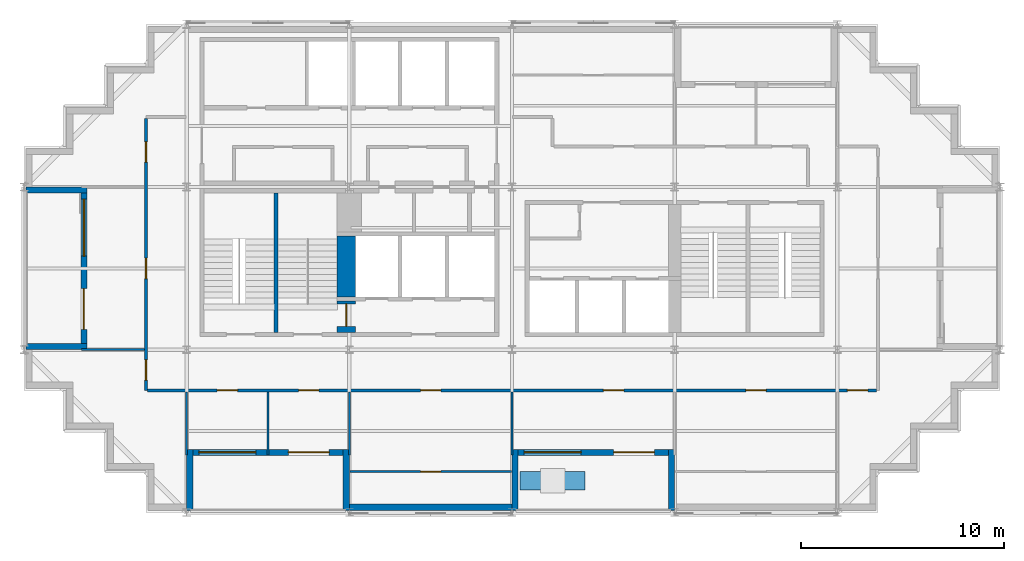
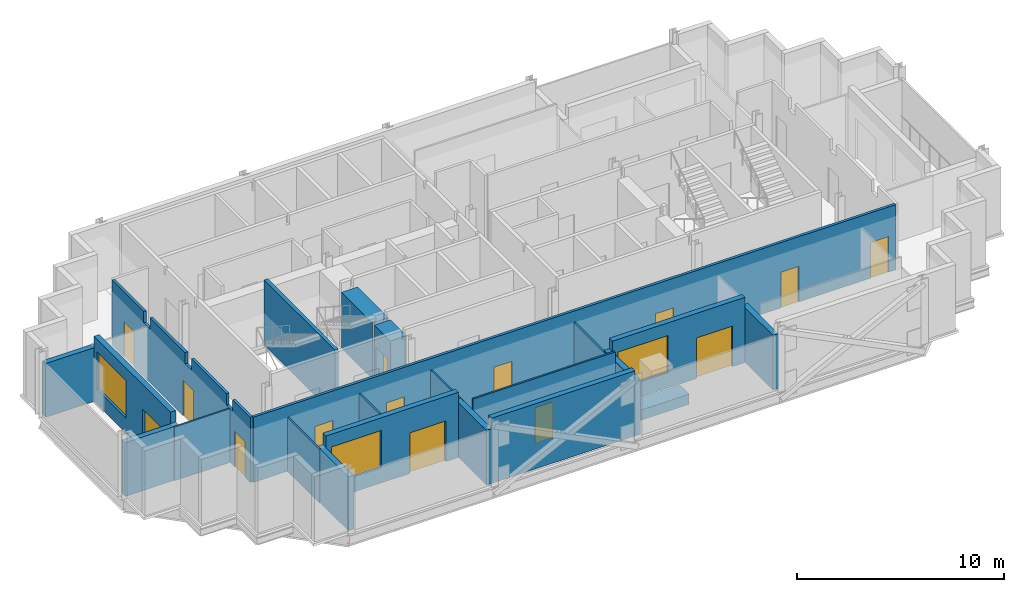
# One storey, part 4 of 10: 22 walls, 14 doors, 3 windows, 17 openings.
"""IFC4 building model written with IfcOpenShell, lengths in metres."""

from ifc_helpers import new_model, si_unit, direction, frame, frame_2d, origin, place, context, subcontext, project, spatial, polyline, rectangle, outline, extrude, material, layer, layer_set, type_object, element, fill, save


model = new_model("IFC4")

# Units and contexts
model_context = context("Model", 3, precision=1e-05, world=origin(), true_north=direction((0.0, 1.0)))
body_context = subcontext(model_context, "Body", "Model", "MODEL_VIEW")
ifc_project = project(units=[si_unit("LENGTHUNIT", "METRE"), si_unit("AREAUNIT", "SQUARE_METRE"), si_unit("VOLUMEUNIT", "CUBIC_METRE"), si_unit("PLANEANGLEUNIT", "RADIAN"), si_unit("MASSUNIT", "GRAM", prefix="KILO")], contexts=[model_context])

# Site, building, storey
site_placement = place(None, origin())
site = spatial("IfcSite", under=ifc_project, at=site_placement, CompositionType="ELEMENT")
building_placement = place(site_placement, origin())
building = spatial("IfcBuilding", under=site, at=building_placement, Name="Immortelle Media Tower", CompositionType="ELEMENT")
storey_placement = place(building_placement, frame((0.0, 0.0, 263.0)))
storey = spatial("IfcBuildingStorey", under=building, at=storey_placement, Name="L57", CompositionType="ELEMENT", Elevation=263.0)

# Wall, openings, doors
ifc_material_1 = material(Name="Fire-rated gypsum board", Category="gypsum")
ifc_layer_1 = layer(ifc_material_1, 0.012451171875)
ifc_material_2 = material(Name="Steel ASTM A653 SS Gr 50 stud frame with mineral wool", Category="steel")
ifc_layer_2 = layer(ifc_material_2, 0.125)
ifc_layer_3 = layer(ifc_material_1, 0.012451171875)
ifc_layer_set_1 = layer_set([ifc_layer_1, ifc_layer_2, ifc_layer_3], Name="Steel ASTM A653 SS Gr 50 stud frame with mineral wool")
wall_type_1 = type_object("IfcWallType", Name="Corridor wall 150", PredefinedType="PARTITIONING", material=ifc_layer_set_1)
wall_1_placement = place(storey_placement, frame((6.074951171875, 6.0, 0.0), z_axis=(0.0, 0.0, 1.0), x_axis=(1.0, 0.0, 0.0)))
wall_1 = element("IfcWall", 1, at=wall_1_placement, inside=storey, type_object=wall_type_1, Name="Partition L57-010", PredefinedType="PARTITIONING", context=body_context, shape_type="SweptSolid", body=[
    extrude(rectangle(XDim=35.85009765625, YDim=0.14990234375, at=frame_2d((17.925048828125, 0.0))), origin(), (0.0, 0.0, 1.0), 3.85009765625),
])
opening_1_placement = place(wall_1_placement, frame((14.425048828125, 0.0, 0.0), z_axis=(0.0, 0.0, 1.0), x_axis=(-1.0, 0.0, 0.0)))
opening_1 = element("IfcOpeningElement", 2, at=opening_1_placement, cuts=wall_1, Name="Opening X2-F001", PredefinedType="OPENING", context=body_context, shape_type="SweptSolid", body=[
    extrude(rectangle(XDim=1.0, YDim=2.10009765625, at=frame_2d((0.5, 1.050048828125))), frame((0.0, 0.0849609375, 0.0), z_axis=(0.0, -1.0, 0.0), x_axis=(1.0, 0.0, 0.0)), (0.0, 0.0, 1.0), 0.169921875),
])
opening_2_placement = place(wall_1_placement, frame((30.425048828125, 0.0, 0.0), z_axis=(0.0, 0.0, 1.0), x_axis=(-1.0, 0.0, 0.0)))
opening_2 = element("IfcOpeningElement", 3, at=opening_2_placement, cuts=wall_1, Name="Opening X2-F003", PredefinedType="OPENING", context=body_context, shape_type="SweptSolid", body=[
    extrude(rectangle(XDim=1.0, YDim=2.10009765625, at=frame_2d((0.5, 1.050048828125))), frame((0.0, 0.0849609375, 0.0), z_axis=(0.0, -1.0, 0.0), x_axis=(1.0, 0.0, 0.0)), (0.0, 0.0, 1.0), 0.169921875),
])
opening_3_placement = place(wall_1_placement, frame((4.425048828125, 0.0, 0.0), z_axis=(0.0, 0.0, 1.0), x_axis=(-1.0, 0.0, 0.0)))
opening_3 = element("IfcOpeningElement", 4, at=opening_3_placement, cuts=wall_1, Name="Opening X2-F005", PredefinedType="OPENING", context=body_context, shape_type="SweptSolid", body=[
    extrude(rectangle(XDim=1.0, YDim=2.10009765625, at=frame_2d((0.5, 1.050048828125))), frame((0.0, 0.0849609375, 0.0), z_axis=(0.0, -1.0, 0.0), x_axis=(1.0, 0.0, 0.0)), (0.0, 0.0, 1.0), 0.169921875),
])
opening_4_placement = place(wall_1_placement, frame((8.425048828125, 0.0, 0.0), z_axis=(0.0, 0.0, 1.0), x_axis=(-1.0, 0.0, 0.0)))
opening_4 = element("IfcOpeningElement", 5, at=opening_4_placement, cuts=wall_1, Name="Opening X2-F006", PredefinedType="OPENING", context=body_context, shape_type="SweptSolid", body=[
    extrude(rectangle(XDim=1.0, YDim=2.10009765625, at=frame_2d((0.5, 1.050048828125))), frame((0.0, 0.0849609375, 0.0), z_axis=(0.0, -1.0, 0.0), x_axis=(1.0, 0.0, 0.0)), (0.0, 0.0, 1.0), 0.169921875),
])
opening_5_placement = place(wall_1_placement, frame((23.425048828125, 0.0, 0.0), z_axis=(0.0, 0.0, 1.0), x_axis=(-1.0, 0.0, 0.0)))
opening_5 = element("IfcOpeningElement", 6, at=opening_5_placement, cuts=wall_1, Name="Opening X2-F007", PredefinedType="OPENING", context=body_context, shape_type="SweptSolid", body=[
    extrude(rectangle(XDim=1.0, YDim=2.10009765625, at=frame_2d((0.5, 1.050048828125))), frame((0.0, 0.0849609375, 0.0), z_axis=(0.0, -1.0, 0.0), x_axis=(1.0, 0.0, 0.0)), (0.0, 0.0, 1.0), 0.169921875),
])
opening_6_placement = place(wall_1_placement, frame((35.425048828125, 0.0, 0.0), z_axis=(0.0, 0.0, 1.0), x_axis=(-1.0, 0.0, 0.0)))
opening_6 = element("IfcOpeningElement", 7, at=opening_6_placement, cuts=wall_1, Name="Opening X2-F009", PredefinedType="OPENING", context=body_context, shape_type="SweptSolid", body=[
    extrude(rectangle(XDim=1.0, YDim=2.10009765625, at=frame_2d((0.5, 1.050048828125))), frame((0.0, 0.0849609375, 0.0), z_axis=(0.0, -1.0, 0.0), x_axis=(1.0, 0.0, 0.0)), (0.0, 0.0, 1.0), 0.169921875),
])
ifc_material_3 = material(Name="Timber veneered door leaf, galvanised steel frame ASTM A653", Category="steel")
door_type_1 = type_object("IfcDoorType", Name="Room door 1000 x 2100", OperationType="NOTDEFINED", PredefinedType="DOOR", material=ifc_material_3)
door_1_placement = place(opening_1_placement, origin())
door_1 = element("IfcDoor", 8, at=door_1_placement, inside=storey, type_object=door_type_1, Name="Door X2-F001", OperationType="SINGLE_SWING_RIGHT", OverallHeight=2.10009765625, OverallWidth=1.0, PredefinedType="DOOR", context=body_context, shape_type="SweptSolid", body=[
    extrude(rectangle(XDim=1.0, YDim=2.10009765625, at=frame_2d((0.5, 1.050048828125))), frame((0.0, 0.02490234375, 0.0), z_axis=(0.0, -1.0, 0.0), x_axis=(1.0, 0.0, 0.0)), (0.0, 0.0, 1.0), 0.050048828125),
])
fill(opening_1, door_1)
door_2_placement = place(opening_2_placement, origin())
door_2 = element("IfcDoor", 9, at=door_2_placement, inside=storey, type_object=door_type_1, Name="Door X2-F003", OperationType="SINGLE_SWING_RIGHT", OverallHeight=2.10009765625, OverallWidth=1.0, PredefinedType="DOOR", context=body_context, shape_type="SweptSolid", body=[
    extrude(rectangle(XDim=1.0, YDim=2.10009765625, at=frame_2d((0.5, 1.050048828125))), frame((0.0, 0.02490234375, 0.0), z_axis=(0.0, -1.0, 0.0), x_axis=(1.0, 0.0, 0.0)), (0.0, 0.0, 1.0), 0.050048828125),
])
fill(opening_2, door_2)
door_3_placement = place(opening_3_placement, origin())
door_3 = element("IfcDoor", 10, at=door_3_placement, inside=storey, type_object=door_type_1, Name="Door X2-F005", OperationType="SINGLE_SWING_RIGHT", OverallHeight=2.10009765625, OverallWidth=1.0, PredefinedType="DOOR", context=body_context, shape_type="SweptSolid", body=[
    extrude(rectangle(XDim=1.0, YDim=2.10009765625, at=frame_2d((0.5, 1.050048828125))), frame((0.0, 0.02490234375, 0.0), z_axis=(0.0, -1.0, 0.0), x_axis=(1.0, 0.0, 0.0)), (0.0, 0.0, 1.0), 0.050048828125),
])
fill(opening_3, door_3)
door_4_placement = place(opening_4_placement, origin())
door_4 = element("IfcDoor", 11, at=door_4_placement, inside=storey, type_object=door_type_1, Name="Door X2-F006", OperationType="SINGLE_SWING_LEFT", OverallHeight=2.10009765625, OverallWidth=1.0, PredefinedType="DOOR", context=body_context, shape_type="SweptSolid", body=[
    extrude(rectangle(XDim=1.0, YDim=2.10009765625, at=frame_2d((0.5, 1.050048828125))), frame((0.0, 0.02490234375, 0.0), z_axis=(0.0, -1.0, 0.0), x_axis=(1.0, 0.0, 0.0)), (0.0, 0.0, 1.0), 0.050048828125),
])
fill(opening_4, door_4)
door_5_placement = place(opening_5_placement, origin())
door_5 = element("IfcDoor", 12, at=door_5_placement, inside=storey, type_object=door_type_1, Name="Door X2-F007", OperationType="SINGLE_SWING_LEFT", OverallHeight=2.10009765625, OverallWidth=1.0, PredefinedType="DOOR", context=body_context, shape_type="SweptSolid", body=[
    extrude(rectangle(XDim=1.0, YDim=2.10009765625, at=frame_2d((0.5, 1.050048828125))), frame((0.0, 0.02490234375, 0.0), z_axis=(0.0, -1.0, 0.0), x_axis=(1.0, 0.0, 0.0)), (0.0, 0.0, 1.0), 0.050048828125),
])
fill(opening_5, door_5)
door_6_placement = place(opening_6_placement, origin())
door_6 = element("IfcDoor", 13, at=door_6_placement, inside=storey, type_object=door_type_1, Name="Door X2-F009", OperationType="SINGLE_SWING_RIGHT", OverallHeight=2.10009765625, OverallWidth=1.0, PredefinedType="DOOR", context=body_context, shape_type="SweptSolid", body=[
    extrude(rectangle(XDim=1.0, YDim=2.10009765625, at=frame_2d((0.5, 1.050048828125))), frame((0.0, 0.02490234375, 0.0), z_axis=(0.0, -1.0, 0.0), x_axis=(1.0, 0.0, 0.0)), (0.0, 0.0, 1.0), 0.050048828125),
])
fill(opening_6, door_6)

wall_2_placement = place(storey_placement, frame((6.0, 6.0, 0.0), z_axis=(0.0, 0.0, 1.0), x_axis=(0.0, 1.0, 0.0)))
wall_2 = element("IfcWall", 14, at=wall_2_placement, inside=storey, type_object=wall_type_1, Name="Partition L57-011", PredefinedType="PARTITIONING", context=body_context, shape_type="SweptSolid", body=[
    extrude(outline(polyline([(0.0, 0.0), (13.375, 0.0), (13.375, 3.85009765625), (10.300048828125, 3.85009765625), (10.298095703125, 3.172119140625), (9.701904296875, 3.172119140625), (9.699951171875, 3.85009765625), (6.300048828125, 3.85009765625), (6.298095703125, 3.172119140625), (5.701904296875, 3.172119140625), (5.699951171875, 3.85009765625), (2.300048828125, 3.85009765625), (2.298095703125, 3.172119140625), (1.701904296875, 3.172119140625), (1.699951171875, 3.85009765625), (0.0, 3.85009765625), (0.0, 0.0)])), frame((0.0, 0.074951171875, 0.0), z_axis=(0.0, -1.0, 0.0), x_axis=(1.0, 0.0, 0.0)), (0.0, 0.0, 1.0), 0.14990234375),
])
opening_7_placement = place(wall_2_placement, frame((0.5, 0.0, 0.0)))
opening_7 = element("IfcOpeningElement", 15, at=opening_7_placement, cuts=wall_2, Name="Opening X2-F008", PredefinedType="OPENING", context=body_context, shape_type="SweptSolid", body=[
    extrude(rectangle(XDim=1.0, YDim=2.10009765625, at=frame_2d((0.5, 1.050048828125))), frame((0.0, 0.0849609375, 0.0), z_axis=(0.0, -1.0, 0.0), x_axis=(1.0, 0.0, 0.0)), (0.0, 0.0, 1.0), 0.169921875),
])
opening_8_placement = place(wall_2_placement, frame((5.5, 0.0, 0.0)))
opening_8 = element("IfcOpeningElement", 16, at=opening_8_placement, cuts=wall_2, Name="Opening X2-F010", PredefinedType="OPENING", context=body_context, shape_type="SweptSolid", body=[
    extrude(rectangle(XDim=1.0, YDim=2.10009765625, at=frame_2d((0.5, 1.050048828125))), frame((0.0, 0.0849609375, 0.0), z_axis=(0.0, -1.0, 0.0), x_axis=(1.0, 0.0, 0.0)), (0.0, 0.0, 1.0), 0.169921875),
])
opening_9_placement = place(wall_2_placement, frame((11.22509765625, 0.0, 0.0)))
opening_9 = element("IfcOpeningElement", 17, at=opening_9_placement, cuts=wall_2, Name="Opening X2-F012", PredefinedType="OPENING", context=body_context, shape_type="SweptSolid", body=[
    extrude(rectangle(XDim=1.0, YDim=2.10009765625, at=frame_2d((0.5, 1.050048828125))), frame((0.0, 0.0849609375, 0.0), z_axis=(0.0, -1.0, 0.0), x_axis=(1.0, 0.0, 0.0)), (0.0, 0.0, 1.0), 0.169921875),
])
door_7_placement = place(opening_7_placement, origin())
door_7 = element("IfcDoor", 18, at=door_7_placement, inside=storey, type_object=door_type_1, Name="Door X2-F008", OperationType="SINGLE_SWING_RIGHT", OverallHeight=2.10009765625, OverallWidth=1.0, PredefinedType="DOOR", context=body_context, shape_type="SweptSolid", body=[
    extrude(rectangle(XDim=1.0, YDim=2.10009765625, at=frame_2d((0.5, 1.050048828125))), frame((0.0, 0.02490234375, 0.0), z_axis=(0.0, -1.0, 0.0), x_axis=(1.0, 0.0, 0.0)), (0.0, 0.0, 1.0), 0.050048828125),
])
fill(opening_7, door_7)
door_8_placement = place(opening_8_placement, origin())
door_8 = element("IfcDoor", 19, at=door_8_placement, inside=storey, type_object=door_type_1, Name="Door X2-F010", OperationType="SINGLE_SWING_LEFT", OverallHeight=2.10009765625, OverallWidth=1.0, PredefinedType="DOOR", context=body_context, shape_type="SweptSolid", body=[
    extrude(rectangle(XDim=1.0, YDim=2.10009765625, at=frame_2d((0.5, 1.050048828125))), frame((0.0, 0.02490234375, 0.0), z_axis=(0.0, -1.0, 0.0), x_axis=(1.0, 0.0, 0.0)), (0.0, 0.0, 1.0), 0.050048828125),
])
fill(opening_8, door_8)
door_9_placement = place(opening_9_placement, origin())
door_9 = element("IfcDoor", 20, at=door_9_placement, inside=storey, type_object=door_type_1, Name="Door X2-F012", OperationType="SINGLE_SWING_LEFT", OverallHeight=2.10009765625, OverallWidth=1.0, PredefinedType="DOOR", context=body_context, shape_type="SweptSolid", body=[
    extrude(rectangle(XDim=1.0, YDim=2.10009765625, at=frame_2d((0.5, 1.050048828125))), frame((0.0, 0.02490234375, 0.0), z_axis=(0.0, -1.0, 0.0), x_axis=(1.0, 0.0, 0.0)), (0.0, 0.0, 1.0), 0.050048828125),
])
fill(opening_9, door_9)

# Wall, openings, door, window
ifc_material_4 = material(Name="Pale aluminium cladding panel", Category="aluminium")
ifc_layer_4 = layer(ifc_material_4, 0.030029296875)
ifc_layer_5 = layer(ifc_material_2, 0.257568359375)
ifc_material_5 = material(Name="Moisture-resistant gypsum board", Category="gypsum")
ifc_layer_6 = layer(ifc_material_5, 0.012451171875)
ifc_layer_set_2 = layer_set([ifc_layer_4, ifc_layer_5, ifc_layer_6], Name="Steel ASTM A653 SS Gr 50 stud frame with mineral wool")
wall_type_2 = type_object("IfcWallType", Name="Facade wall 300", PredefinedType="SOLIDWALL", material=ifc_layer_set_2)
wall_3_placement = place(storey_placement, frame((8.300048828125, 2.949951171875, 0.0), z_axis=(0.0, 0.0, 1.0), x_axis=(1.0, 0.0, 0.0)))
wall_3 = element("IfcWall", 21, at=wall_3_placement, inside=storey, type_object=wall_type_2, Name="Loggia wall L57 S6", PredefinedType="SOLIDWALL", context=body_context, shape_type="SweptSolid", body=[
    extrude(rectangle(XDim=7.39990234375, YDim=0.300048828125, at=frame_2d((3.699951171875, 0.0))), origin(), (0.0, 0.0, 1.0), 3.85009765625),
])
opening_10_placement = place(wall_3_placement, frame((0.300048828125, 0.0, 0.89990234375)))
opening_10 = element("IfcOpeningElement", 22, at=opening_10_placement, cuts=wall_3, Name="Opening W1", PredefinedType="OPENING", context=body_context, shape_type="SweptSolid", body=[
    extrude(rectangle(XDim=2.800048828125, YDim=2.199951171875, at=frame_2d((1.39990234375, 1.10009765625))), frame((0.0, 0.159912109375, 0.0), z_axis=(0.0, -1.0, 0.0), x_axis=(1.0, 0.0, 0.0)), (0.0, 0.0, 1.0), 0.320068359375),
])
opening_11_placement = place(wall_3_placement, frame((4.699951171875, 0.0, 0.0)))
opening_11 = element("IfcOpeningElement", 23, at=opening_11_placement, cuts=wall_3, Name="Opening X2-E001", PredefinedType="OPENING", context=body_context, shape_type="SweptSolid", body=[
    extrude(rectangle(XDim=2.0, YDim=2.39990234375, at=frame_2d((1.0, 1.199951171875))), frame((0.0, 0.159912109375, 0.0), z_axis=(0.0, -1.0, 0.0), x_axis=(1.0, 0.0, 0.0)), (0.0, 0.0, 1.0), 0.320068359375),
])
ifc_material_6 = material(Name="Aluminium frame, glazed leaves", Category="aluminium")
door_type_2 = type_object("IfcDoorType", Name="Loggia door 2000 x 2400", OperationType="DOUBLE_DOOR_SINGLE_SWING", PredefinedType="DOOR", material=ifc_material_6)
door_10_placement = place(opening_11_placement, origin())
door_10 = element("IfcDoor", 24, at=door_10_placement, inside=storey, type_object=door_type_2, Name="Door X2-E001", OperationType="DOUBLE_DOOR_SINGLE_SWING", OverallHeight=2.39990234375, OverallWidth=2.0, PredefinedType="DOOR", context=body_context, shape_type="SweptSolid", body=[
    extrude(rectangle(XDim=2.0, YDim=2.39990234375, at=frame_2d((1.0, 1.199951171875))), frame((0.0, 0.02490234375, 0.0), z_axis=(0.0, -1.0, 0.0), x_axis=(1.0, 0.0, 0.0)), (0.0, 0.0, 1.0), 0.050048828125),
])
fill(opening_11, door_10)
ifc_material_7 = material(Name="Aluminium frame", Category="aluminium")
window_type = type_object("IfcWindowType", Name="Window 2800 x 2200", PartitioningType="SINGLE_PANEL", PredefinedType="WINDOW", material=ifc_material_7)
window_1_placement = place(opening_10_placement, origin())
window_1 = element("IfcWindow", 25, at=window_1_placement, inside=storey, type_object=window_type, Name="Window L57 L57-R6-B0", OverallHeight=2.199951171875, OverallWidth=2.800048828125, PartitioningType="SINGLE_PANEL", PredefinedType="WINDOW", context=body_context, shape_type="SweptSolid", body=[
    extrude(rectangle(XDim=2.800048828125, YDim=2.199951171875, at=frame_2d((1.39990234375, 1.10009765625))), frame((0.0, 0.030029296875, 0.0), z_axis=(0.0, -1.0, 0.0), x_axis=(1.0, 0.0, 0.0)), (0.0, 0.0, 1.0), 0.06005859375),
])
fill(opening_10, window_1)

# Walls
wall_4_placement = place(storey_placement, frame((8.14990234375, 0.10009765625, 0.0), z_axis=(0.0, 0.0, 1.0), x_axis=(0.0, 1.0, 0.0)))
element("IfcWall", 26, at=wall_4_placement, inside=storey, type_object=wall_type_2, Name="Loggia cheek wall L57 S", PredefinedType="SOLIDWALL", context=body_context, shape_type="SweptSolid", body=[
    extrude(rectangle(XDim=3.0, YDim=0.300048828125, at=frame_2d((1.5, 0.0))), origin(), (0.0, 0.0, 1.0), 3.1708984375),
])
wall_5_placement = place(storey_placement, frame((15.85009765625, 0.10009765625, 0.0), z_axis=(0.0, 0.0, 1.0), x_axis=(0.0, 1.0, 0.0)))
element("IfcWall", 27, at=wall_5_placement, inside=storey, type_object=wall_type_2, Name="Loggia cheek wall L57 S", PredefinedType="SOLIDWALL", context=body_context, shape_type="SweptSolid", body=[
    extrude(rectangle(XDim=3.0, YDim=0.300048828125, at=frame_2d((1.5, 0.0))), origin(), (0.0, 0.0, 1.0), 3.237060546875),
])
wall_6_placement = place(storey_placement, frame((16.0, 0.25, 0.0), z_axis=(0.0, 0.0, 1.0), x_axis=(1.0, 0.0, 0.0)))
element("IfcWall", 28, at=wall_6_placement, inside=storey, type_object=wall_type_2, Name="Facade wall L57 S6", PredefinedType="SOLIDWALL", context=body_context, shape_type="SweptSolid", body=[
    extrude(rectangle(XDim=8.0, YDim=0.300048828125, at=frame_2d((4.0, 0.0))), origin(), (0.0, 0.0, 1.0), 3.85009765625),
])

# Wall, openings, door, window
wall_7_placement = place(storey_placement, frame((24.300048828125, 2.949951171875, 0.0), z_axis=(0.0, 0.0, 1.0), x_axis=(1.0, 0.0, 0.0)))
wall_7 = element("IfcWall", 29, at=wall_7_placement, inside=storey, type_object=wall_type_2, Name="Loggia wall L57 S6", PredefinedType="SOLIDWALL", context=body_context, shape_type="SweptSolid", body=[
    extrude(rectangle(XDim=7.39990234375, YDim=0.300048828125, at=frame_2d((3.699951171875, 0.0))), origin(), (0.0, 0.0, 1.0), 3.85009765625),
])
opening_12_placement = place(wall_7_placement, frame((0.300048828125, 0.0, 0.89990234375)))
opening_12 = element("IfcOpeningElement", 30, at=opening_12_placement, cuts=wall_7, Name="Opening W1", PredefinedType="OPENING", context=body_context, shape_type="SweptSolid", body=[
    extrude(rectangle(XDim=2.800048828125, YDim=2.199951171875, at=frame_2d((1.39990234375, 1.10009765625))), frame((0.0, 0.159912109375, 0.0), z_axis=(0.0, -1.0, 0.0), x_axis=(1.0, 0.0, 0.0)), (0.0, 0.0, 1.0), 0.320068359375),
])
opening_13_placement = place(wall_7_placement, frame((4.699951171875, 0.0, 0.0)))
opening_13 = element("IfcOpeningElement", 31, at=opening_13_placement, cuts=wall_7, Name="Opening X2-E002", PredefinedType="OPENING", context=body_context, shape_type="SweptSolid", body=[
    extrude(rectangle(XDim=2.0, YDim=2.39990234375, at=frame_2d((1.0, 1.199951171875))), frame((0.0, 0.159912109375, 0.0), z_axis=(0.0, -1.0, 0.0), x_axis=(1.0, 0.0, 0.0)), (0.0, 0.0, 1.0), 0.320068359375),
])
door_11_placement = place(opening_13_placement, origin())
door_11 = element("IfcDoor", 32, at=door_11_placement, inside=storey, type_object=door_type_2, Name="Door X2-E002", OperationType="DOUBLE_DOOR_SINGLE_SWING", OverallHeight=2.39990234375, OverallWidth=2.0, PredefinedType="DOOR", context=body_context, shape_type="SweptSolid", body=[
    extrude(rectangle(XDim=2.0, YDim=2.39990234375, at=frame_2d((1.0, 1.199951171875))), frame((0.0, 0.02490234375, 0.0), z_axis=(0.0, -1.0, 0.0), x_axis=(1.0, 0.0, 0.0)), (0.0, 0.0, 1.0), 0.050048828125),
])
fill(opening_13, door_11)
window_2_placement = place(opening_12_placement, origin())
window_2 = element("IfcWindow", 33, at=window_2_placement, inside=storey, type_object=window_type, Name="Window L57 L57-R6-B2", OverallHeight=2.199951171875, OverallWidth=2.800048828125, PartitioningType="SINGLE_PANEL", PredefinedType="WINDOW", context=body_context, shape_type="SweptSolid", body=[
    extrude(rectangle(XDim=2.800048828125, YDim=2.199951171875, at=frame_2d((1.39990234375, 1.10009765625))), frame((0.0, 0.030029296875, 0.0), z_axis=(0.0, -1.0, 0.0), x_axis=(1.0, 0.0, 0.0)), (0.0, 0.0, 1.0), 0.06005859375),
])
fill(opening_12, window_2)

# Walls
for number, where, z_axis, x_axis, name in (
    (34, (24.14990234375, 0.10009765625, 0.0), (0.0, 0.0, 1.0), (0.0, 1.0, 0.0), "Loggia cheek wall L57 S"),
    (35, (31.85009765625, 0.10009765625, 0.0), (0.0, 0.0, 1.0), (0.0, 1.0, 0.0), "Loggia cheek wall L57 S"),
):
    element("IfcWall", number, at=place(storey_placement, frame(where, z_axis=z_axis, x_axis=x_axis)), inside=storey, type_object=wall_type_2, Name=name, PredefinedType="SOLIDWALL", context=body_context, shape_type="SweptSolid", body=[
        extrude(rectangle(XDim=3.0, YDim=0.300048828125, at=frame_2d((1.5, 0.0))), origin(), (0.0, 0.0, 1.0), 3.237060546875),
    ])

# Wall, openings, door, window
wall_8_placement = place(storey_placement, frame((2.949951171875, 15.699951171875, 0.0), z_axis=(0.0, 0.0, 1.0), x_axis=(0.0, -1.0, 0.0)))
wall_8 = element("IfcWall", 36, at=wall_8_placement, inside=storey, type_object=wall_type_2, Name="Loggia wall L57 W27", PredefinedType="SOLIDWALL", context=body_context, shape_type="SweptSolid", body=[
    extrude(rectangle(XDim=7.39990234375, YDim=0.300048828125, at=frame_2d((3.699951171875, 0.0))), origin(), (0.0, 0.0, 1.0), 3.85009765625),
])
opening_14_placement = place(wall_8_placement, frame((0.300048828125, 0.0, 0.89990234375)))
opening_14 = element("IfcOpeningElement", 37, at=opening_14_placement, cuts=wall_8, Name="Opening W1", PredefinedType="OPENING", context=body_context, shape_type="SweptSolid", body=[
    extrude(rectangle(XDim=2.800048828125, YDim=2.199951171875, at=frame_2d((1.39990234375, 1.10009765625))), frame((0.0, 0.159912109375, 0.0), z_axis=(0.0, -1.0, 0.0), x_axis=(1.0, 0.0, 0.0)), (0.0, 0.0, 1.0), 0.320068359375),
])
opening_15_placement = place(wall_8_placement, frame((4.699951171875, 0.0, 0.0)))
opening_15 = element("IfcOpeningElement", 38, at=opening_15_placement, cuts=wall_8, Name="Opening X2-E006", PredefinedType="OPENING", context=body_context, shape_type="SweptSolid", body=[
    extrude(rectangle(XDim=2.0, YDim=2.39990234375, at=frame_2d((1.0, 1.199951171875))), frame((0.0, 0.159912109375, 0.0), z_axis=(0.0, -1.0, 0.0), x_axis=(1.0, 0.0, 0.0)), (0.0, 0.0, 1.0), 0.320068359375),
])
door_12_placement = place(opening_15_placement, origin())
door_12 = element("IfcDoor", 39, at=door_12_placement, inside=storey, type_object=door_type_2, Name="Door X2-E006", OperationType="DOUBLE_DOOR_SINGLE_SWING", OverallHeight=2.39990234375, OverallWidth=2.0, PredefinedType="DOOR", context=body_context, shape_type="SweptSolid", body=[
    extrude(rectangle(XDim=2.0, YDim=2.39990234375, at=frame_2d((1.0, 1.199951171875))), frame((0.0, 0.02490234375, 0.0), z_axis=(0.0, -1.0, 0.0), x_axis=(1.0, 0.0, 0.0)), (0.0, 0.0, 1.0), 0.050048828125),
])
fill(opening_15, door_12)
window_3_placement = place(opening_14_placement, origin())
window_3 = element("IfcWindow", 40, at=window_3_placement, inside=storey, type_object=window_type, Name="Window L57 L57-R27-B0", OverallHeight=2.199951171875, OverallWidth=2.800048828125, PartitioningType="SINGLE_PANEL", PredefinedType="WINDOW", context=body_context, shape_type="SweptSolid", body=[
    extrude(rectangle(XDim=2.800048828125, YDim=2.199951171875, at=frame_2d((1.39990234375, 1.10009765625))), frame((0.0, 0.030029296875, 0.0), z_axis=(0.0, -1.0, 0.0), x_axis=(1.0, 0.0, 0.0)), (0.0, 0.0, 1.0), 0.06005859375),
])
fill(opening_14, window_3)

# Walls
for number, where, z_axis, x_axis, name in (
    (41, (0.10009765625, 15.85009765625, 0.0), (0.0, 0.0, 1.0), (1.0, 0.0, 0.0), "Loggia cheek wall L57 W"),
    (42, (0.10009765625, 8.14990234375, 0.0), (0.0, 0.0, 1.0), (1.0, 0.0, 0.0), "Loggia cheek wall L57 W"),
):
    element("IfcWall", number, at=place(storey_placement, frame(where, z_axis=z_axis, x_axis=x_axis)), inside=storey, type_object=wall_type_2, Name=name, PredefinedType="SOLIDWALL", context=body_context, shape_type="SweptSolid", body=[
        extrude(rectangle(XDim=3.0, YDim=0.300048828125, at=frame_2d((1.5, 0.0))), origin(), (0.0, 0.0, 1.0), 3.1708984375),
    ])

# Wall, opening, door
ifc_material_8 = material(Name="Gypsum board", Category="gypsum")
ifc_layer_7 = layer(ifc_material_8, 0.012451171875)
ifc_layer_8 = layer(ifc_material_2, 0.074951171875)
ifc_layer_9 = layer(ifc_material_8, 0.012451171875)
ifc_layer_set_3 = layer_set([ifc_layer_7, ifc_layer_8, ifc_layer_9], Name="Steel ASTM A653 SS Gr 50 stud frame with mineral wool")
wall_type_3 = type_object("IfcWallType", Name="Partition 100", PredefinedType="PARTITIONING", material=ifc_layer_set_3)
wall_9_placement = place(storey_placement, frame((16.030029296875, 2.0, 0.0), z_axis=(0.0, 0.0, 1.0), x_axis=(1.0, 0.0, 0.0)))
wall_9 = element("IfcWall", 43, at=wall_9_placement, inside=storey, type_object=wall_type_3, Name="Partition L57-002", PredefinedType="PARTITIONING", context=body_context, shape_type="SweptSolid", body=[
    extrude(rectangle(XDim=7.93994140625, YDim=0.10009765625, at=frame_2d((3.969970703125, 0.0))), origin(), (0.0, 0.0, 1.0), 3.85009765625),
])
opening_16_placement = place(wall_9_placement, frame((4.469970703125, 0.0, 0.0), z_axis=(0.0, 0.0, 1.0), x_axis=(-1.0, 0.0, 0.0)))
opening_16 = element("IfcOpeningElement", 44, at=opening_16_placement, cuts=wall_9, Name="Opening X2-F002", PredefinedType="OPENING", context=body_context, shape_type="SweptSolid", body=[
    extrude(rectangle(XDim=1.0, YDim=2.10009765625, at=frame_2d((0.5, 1.050048828125))), frame((0.0, 0.06005859375, 0.0), z_axis=(0.0, -1.0, 0.0), x_axis=(1.0, 0.0, 0.0)), (0.0, 0.0, 1.0), 0.1201171875),
])
door_13_placement = place(opening_16_placement, origin())
door_13 = element("IfcDoor", 45, at=door_13_placement, inside=storey, type_object=door_type_1, Name="Door X2-F002", OperationType="SINGLE_SWING_RIGHT", OverallHeight=2.10009765625, OverallWidth=1.0, PredefinedType="DOOR", context=body_context, shape_type="SweptSolid", body=[
    extrude(rectangle(XDim=1.0, YDim=2.10009765625, at=frame_2d((0.5, 1.050048828125))), frame((0.0, 0.02490234375, 0.0), z_axis=(0.0, -1.0, 0.0), x_axis=(1.0, 0.0, 0.0)), (0.0, 0.0, 1.0), 0.050048828125),
])
fill(opening_16, door_13)

# Walls
for number, where, z_axis, x_axis, name in (
    (46, (8.0, 2.830078125, 0.0), (0.0, 0.0, 1.0), (0.0, 1.0, 0.0), "Partition L57-005"),
    (47, (12.0, 2.830078125, 0.0), (0.0, 0.0, 1.0), (0.0, 1.0, 0.0), "Partition L57-006"),
    (48, (16.0, 2.830078125, 0.0), (0.0, 0.0, 1.0), (0.0, 1.0, 0.0), "Partition L57-007"),
    (49, (24.0, 2.830078125, 0.0), (0.0, 0.0, 1.0), (0.0, 1.0, 0.0), "Partition L57-008"),
    (50, (2.830078125, 8.0, 0.0), (0.0, 0.0, 1.0), (1.0, 0.0, 0.0), "Partition L57-013"),
):
    element("IfcWall", number, at=place(storey_placement, frame(where, z_axis=z_axis, x_axis=x_axis)), inside=storey, type_object=wall_type_3, Name=name, PredefinedType="PARTITIONING", context=body_context, shape_type="SweptSolid", body=[
        extrude(rectangle(XDim=3.094970703125, YDim=0.10009765625, at=frame_2d((1.54736328125, 0.0))), origin(), (0.0, 0.0, 1.0), 3.172119140625),
    ])
ifc_layer_10 = layer(ifc_material_4, 0.0029296875)
ifc_material_9 = material(Name="Steel ASTM A572 Gr 50 planter shell", Category="steel")
ifc_layer_11 = layer(ifc_material_9, 0.011962890625)
ifc_material_10 = material(Name="Planting substrate", Category="soil")
ifc_layer_12 = layer(ifc_material_10, 0.873046875)
ifc_layer_13 = layer(ifc_material_9, 0.011962890625)
ifc_layer_set_4 = layer_set([ifc_layer_10, ifc_layer_11, ifc_layer_12, ifc_layer_13], Name="Steel ASTM A572 Gr 50 planter shell")
wall_type_4 = type_object("IfcWallType", Name="Planter wall 900", PredefinedType="SOLIDWALL", material=ifc_layer_set_4)
wall_10_placement = place(storey_placement, frame((24.39990234375, 1.550048828125, 0.0), z_axis=(0.0, 0.0, 1.0), x_axis=(1.0, 0.0, 0.0)))
element("IfcWall", 51, at=wall_10_placement, inside=storey, type_object=wall_type_4, Name="Planter L57 S2", PredefinedType="SOLIDWALL", context=body_context, shape_type="SweptSolid", body=[
    extrude(rectangle(XDim=3.2001953125, YDim=0.89990234375, at=frame_2d((1.60009765625, 0.0))), origin(), (0.0, 0.0, 1.0), 0.60009765625),
])
ifc_material_11 = material(Name="Concrete C60", Category="concrete")
ifc_layer_14 = layer(ifc_material_11, 0.199951171875)
ifc_layer_set_5 = layer_set([ifc_layer_14], Name="Concrete C60")
wall_type_5 = type_object("IfcWallType", Name="Stair shaft wall 200", PredefinedType="PARTITIONING", material=ifc_layer_set_5)
wall_11_placement = place(storey_placement, frame((12.39990234375, 8.85009765625, 0.0), z_axis=(0.0, 0.0, 1.0), x_axis=(0.0, 1.0, 0.0)))
element("IfcWall", 52, at=wall_11_placement, inside=storey, type_object=wall_type_5, Name="Stair shaft wall SW", PredefinedType="PARTITIONING", context=body_context, shape_type="SweptSolid", body=[
    extrude(rectangle(XDim=6.849853515625, YDim=0.199951171875, at=frame_2d((3.4248046875, 0.0))), origin(), (0.0, 0.0, 1.0), 3.85009765625),
])

# Wall, opening, door
ifc_layer_15 = layer(ifc_material_11, 0.89990234375)
ifc_layer_set_6 = layer_set([ifc_layer_15], Name="Concrete C60")
wall_type_6 = type_object("IfcWallType", Name="Stair shaft wall 900", PredefinedType="PARTITIONING", material=ifc_layer_set_6)
wall_12_placement = place(storey_placement, frame((15.85009765625, 8.85009765625, 0.0), z_axis=(0.0, 0.0, 1.0), x_axis=(0.0, 1.0, 0.0)))
wall_12 = element("IfcWall", 53, at=wall_12_placement, inside=storey, type_object=wall_type_6, Name="Stair shaft wall SW", PredefinedType="PARTITIONING", context=body_context, shape_type="SweptSolid", body=[
    extrude(rectangle(XDim=1.5498046875, YDim=0.89990234375, at=frame_2d((0.77490234375, 0.0))), origin(), (0.0, 0.0, 1.0), 3.30810546875),
])
opening_17_placement = place(wall_12_placement, frame((0.300048828125, 0.0, 0.0)))
opening_17 = element("IfcOpeningElement", 54, at=opening_17_placement, cuts=wall_12, Name="Opening X2-K007", PredefinedType="OPENING", context=body_context, shape_type="SweptSolid", body=[
    extrude(rectangle(XDim=1.10009765625, YDim=2.10009765625, at=frame_2d((0.550048828125, 1.050048828125))), frame((0.0, 0.4599609375, 0.0), z_axis=(0.0, -1.0, 0.0), x_axis=(1.0, 0.0, 0.0)), (0.0, 0.0, 1.0), 0.919921875),
])
ifc_material_12 = material(Name="Galvanised steel door leaf and frame ASTM A653", Category="steel")
door_type_3 = type_object("IfcDoorType", Name="Stair lobby door 1100 x 2100", OperationType="NOTDEFINED", PredefinedType="NOTDEFINED", material=ifc_material_12)
door_14_placement = place(opening_17_placement, origin())
door_14 = element("IfcDoor", 55, at=door_14_placement, inside=storey, type_object=door_type_3, Name="Stair lobby X2-K007", OperationType="SINGLE_SWING_LEFT", OverallHeight=2.10009765625, OverallWidth=1.10009765625, PredefinedType="NOTDEFINED", context=body_context, shape_type="SweptSolid", body=[
    extrude(rectangle(XDim=1.10009765625, YDim=2.10009765625, at=frame_2d((0.550048828125, 1.050048828125))), frame((0.0, 0.02490234375, 0.0), z_axis=(0.0, -1.0, 0.0), x_axis=(1.0, 0.0, 0.0)), (0.0, 0.0, 1.0), 0.050048828125),
])
fill(opening_17, door_14)

# Wall
wall_13_placement = place(storey_placement, frame((15.85009765625, 10.60009765625, 0.0), z_axis=(0.0, 0.0, 1.0), x_axis=(0.0, 1.0, 0.0)))
element("IfcWall", 56, at=wall_13_placement, inside=storey, type_object=wall_type_6, Name="Stair shaft wall SW", PredefinedType="PARTITIONING", context=body_context, shape_type="SweptSolid", body=[
    extrude(rectangle(XDim=3.0, YDim=0.89990234375, at=frame_2d((1.5, 0.0))), origin(), (0.0, 0.0, 1.0), 3.30810546875),
])

save(model, "model.ifc")
